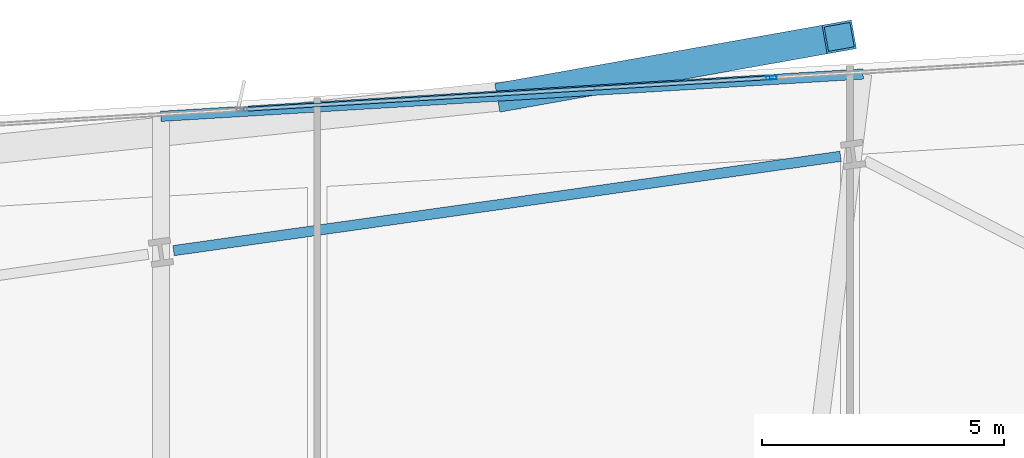
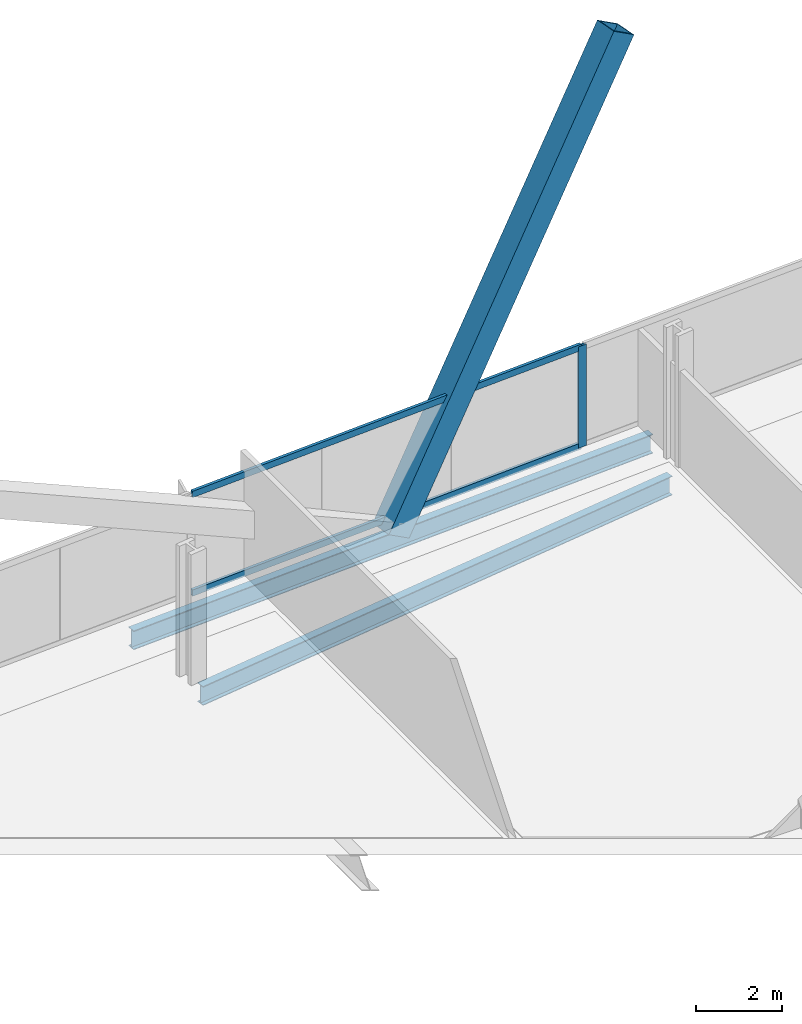
# One storey, part 23 of 34: 4 members, 2 beams, 1 element without a shape of its own.
"""IFC4 building model written with IfcOpenShell, lengths in metres."""

from ifc_helpers import new_model, si_unit, direction, frame, origin, origin_2d, place, context, subcontext, project, spatial, hollow_rectangle, i_section, extrude, material, material_profile, profile_set, type_object, element, aggregate, save


model = new_model("IFC4")

# Units and contexts
model_context = context("Model", 3, precision=1e-05, world=origin(), true_north=direction((0.0, 1.0)))
body_context = subcontext(model_context, "Body", "Model", "MODEL_VIEW")
ifc_project = project(units=[si_unit("LENGTHUNIT", "METRE"), si_unit("AREAUNIT", "SQUARE_METRE"), si_unit("VOLUMEUNIT", "CUBIC_METRE"), si_unit("PLANEANGLEUNIT", "RADIAN"), si_unit("MASSUNIT", "GRAM", prefix="KILO")], contexts=[model_context])

# Site, building, storey
site_placement = place(None, origin())
site = spatial("IfcSite", under=ifc_project, at=site_placement, CompositionType="ELEMENT")
building_placement = place(site_placement, origin())
building = spatial("IfcBuilding", under=site, at=building_placement, Name="Haldenkirk Collegiate Tower", CompositionType="ELEMENT")
storey_placement = place(building_placement, frame((0.0, 0.0, 40.199951171875)))
storey = spatial("IfcBuildingStorey", under=building, at=storey_placement, Name="L08", CompositionType="ELEMENT", Elevation=40.199951171875)

# Beams
ifc_material_1 = material(Name="Steel ASTM A992 Grade 50", Category="steel")
ifc_material_profile_1 = material_profile(ifc_material_1, i_section(OverallWidth=0.2119140625, OverallDepth=0.5439453125, WebThickness=0.01318359375, FlangeThickness=0.021240234375, at=origin_2d()), Name="W21X83")
ifc_profile_set_1 = profile_set([ifc_material_profile_1], Name="Steel ASTM A992 Grade 50")
beam_type = type_object("IfcBeamType", Name="BM-SPANDREL-W21X83", PredefinedType="SPANDREL", material=ifc_profile_set_1)
beam_1_placement = place(storey_placement, frame((46.803955078125, 50.807373046875, -0.58203125), z_axis=(-0.990146197746, -0.14003752029, 0.0), x_axis=(0.14003752029, -0.990146197746, 0.0)))
element("IfcBeam", 1, at=beam_1_placement, inside=storey, type_object=beam_type, Name="L08 perimeter spandrel beam 10", PredefinedType="SPANDREL", context=body_context, shape_type="SweptSolid", body=[
    extrude(i_section(OverallWidth=0.2119140625, OverallDepth=0.5439453125, WebThickness=0.01318359375, FlangeThickness=0.021240234375, at=origin_2d()), origin(), (0.0, 0.0, 1.0), 13.906982421875),
])
beam_2_placement = place(storey_placement, frame((47.269775390625, 52.506103515625, -0.58203125), z_axis=(-0.998187639787, -0.060178366347, 0.0), x_axis=(0.060178366347, -0.998187639787, 0.0)))
element("IfcBeam", 2, at=beam_2_placement, inside=storey, type_object=beam_type, Name="L08 outer facade edge beam 3", PredefinedType="SPANDREL", context=body_context, shape_type="SweptSolid", body=[
    extrude(i_section(OverallWidth=0.2119140625, OverallDepth=0.5439453125, WebThickness=0.01318359375, FlangeThickness=0.021240234375, at=origin_2d()), origin(), (0.0, 0.0, 1.0), 14.52392578125),
])

# Curtain wall, members
ifc_material_2 = material(Name="Anodised architectural bronze aluminium", Category="aluminium")
curtain_wall_type = type_object("IfcCurtainWallType", Name="CW-SYS1-CONVEX-LOW", PredefinedType="USERDEFINED", material=ifc_material_2)
curtain_wall_placement = place(storey_placement, origin())
curtain_wall = element("IfcCurtainWall", 3, at=curtain_wall_placement, inside=storey, type_object=curtain_wall_type, Name="L08 Lower tower convex bronze-framed unitised curtain wall", ObjectType="UNITISED CURTAIN WALL", PredefinedType="USERDEFINED")
ifc_material_profile_2 = material_profile(ifc_material_2, hollow_rectangle(XDim=0.080078125, YDim=0.219970703125, WallThickness=0.0048828125, at=origin_2d()), Name="CW-MUL-1A")
ifc_profile_set_2 = profile_set([ifc_material_profile_2], Name="Anodised architectural bronze aluminium")
member_type_1 = type_object("IfcMemberType", Name="CW-MUL-1A", PredefinedType="MULLION", material=ifc_profile_set_2)
member_1_placement = place(storey_placement, frame((45.37646484375, 52.43212890625, 0.0), z_axis=(0.0, 0.0, 1.0), x_axis=(-0.060175833924, 0.998187792458, 0.0)))
member_1 = element("IfcMember", 4, at=member_1_placement, type_object=member_type_1, Name="CW-1A mullion 4", PredefinedType="MULLION", context=body_context, shape_type="SweptSolid", body=[
    extrude(hollow_rectangle(XDim=0.080078125, YDim=0.219970703125, WallThickness=0.0048828125, at=origin_2d()), origin(), (0.0, 0.0, 1.0), 2.89111328125),
])
ifc_material_profile_3 = material_profile(ifc_material_2, hollow_rectangle(XDim=0.080078125, YDim=0.179931640625, WallThickness=0.0048828125, at=origin_2d()), Name="CW-TRN-1A")
ifc_profile_set_3 = profile_set([ifc_material_profile_3], Name="Anodised architectural bronze aluminium")
member_type_2 = type_object("IfcMemberType", Name="CW-TRN-1A", PredefinedType="USERDEFINED", material=ifc_profile_set_3)
member_2_placement = place(storey_placement, frame((34.486083984375, 51.775634765625, 0.0400390625), z_axis=(0.998188129641, 0.060170240517, 0.0), x_axis=(-0.060170240517, 0.998188129641, 0.0)))
member_2 = element("IfcMember", 5, at=member_2_placement, type_object=member_type_2, Name="CW-1A transom 3.1", ObjectType="TRANSOM", PredefinedType="USERDEFINED", context=body_context, shape_type="SweptSolid", body=[
    extrude(hollow_rectangle(XDim=0.080078125, YDim=0.179931640625, WallThickness=0.0048828125, at=origin_2d()), origin(), (0.0, 0.0, 1.0), 10.8701171875),
])
member_3_placement = place(storey_placement, frame((34.486083984375, 51.775634765625, 2.85107421875), z_axis=(0.998188129641, 0.060170240517, 0.0), x_axis=(-0.060170240517, 0.998188129641, 0.0)))
member_3 = element("IfcMember", 6, at=member_3_placement, type_object=member_type_2, Name="CW-1A transom 3.2", ObjectType="TRANSOM", PredefinedType="USERDEFINED", context=body_context, shape_type="SweptSolid", body=[
    extrude(hollow_rectangle(XDim=0.080078125, YDim=0.179931640625, WallThickness=0.0048828125, at=origin_2d()), origin(), (0.0, 0.0, 1.0), 10.8701171875),
])
aggregate(curtain_wall, [member_1, member_2, member_3])

# Member
ifc_material_3 = material(Name="Steel ASTM A572 Grade 50", Category="steel")
ifc_material_profile_4 = material_profile(ifc_material_3, hollow_rectangle(XDim=0.60009765625, YDim=0.719970703125, WallThickness=0.044921875, at=origin_2d()), Name="BOX720X600X45")
ifc_profile_set_4 = profile_set([ifc_material_profile_4], Name="Steel ASTM A572 Grade 50")
member_type_3 = type_object("IfcMemberType", Name="MBR-MEGABRACE-BOX720X600X45", PredefinedType="BRACE", material=ifc_profile_set_4)
member_4_placement = place(storey_placement, frame((40.02099609375, 52.069091796875, -0.320068359375), z_axis=(0.512673830449, 0.09130010973, 0.853715311762), x_axis=(-0.175327623295, 0.984510144442, 0.0)))
element("IfcMember", 7, at=member_4_placement, inside=storey, type_object=member_type_3, Name="Perimeter Mega Brace Z1 L08-L10 NL", PredefinedType="BRACE", context=body_context, shape_type="SweptSolid", body=[
    extrude(hollow_rectangle(XDim=0.60009765625, YDim=0.719970703125, WallThickness=0.044921875, at=origin_2d()), origin(), (0.0, 0.0, 1.0), 13.177734375),
])

save(model, "model.ifc")
